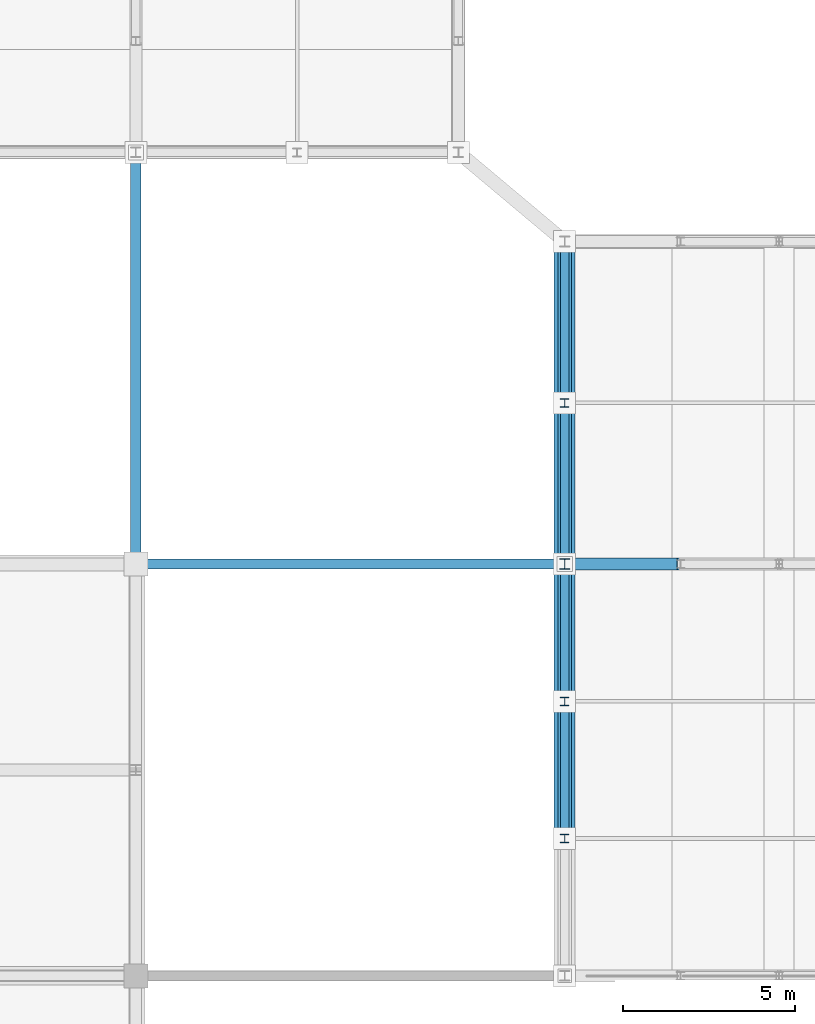
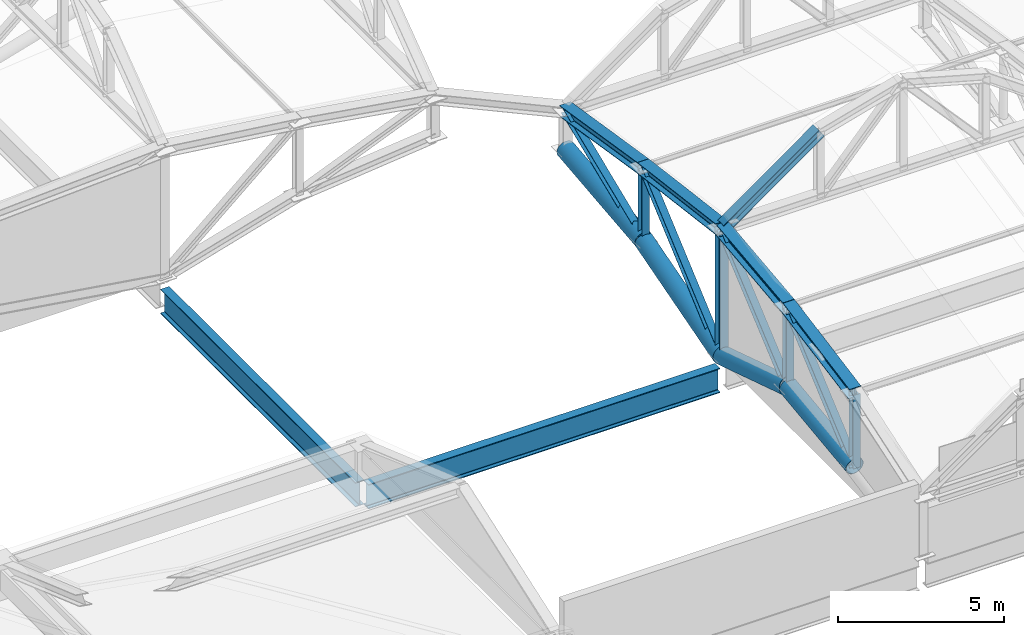
# One storey, part 8 of 117: 17 members, 2 beams.
"""IFC4 building model written with IfcOpenShell, lengths in metres."""

from ifc_helpers import new_model, si_unit, direction, frame, origin, origin_2d, place, context, subcontext, project, spatial, hollow_circle, i_section, extrude, material, material_profile, profile_set, type_object, element, save


model = new_model("IFC4")

# Units and contexts
model_context = context("Model", 3, precision=1e-05, world=origin(), true_north=direction((0.0, 1.0)))
body_context = subcontext(model_context, "Body", "Model", "MODEL_VIEW")
ifc_project = project(units=[si_unit("LENGTHUNIT", "METRE"), si_unit("AREAUNIT", "SQUARE_METRE"), si_unit("VOLUMEUNIT", "CUBIC_METRE"), si_unit("PLANEANGLEUNIT", "RADIAN"), si_unit("MASSUNIT", "GRAM", prefix="KILO")], contexts=[model_context])

# Site, building, storey
site_placement = place(None, origin())
site = spatial("IfcSite", under=ifc_project, at=site_placement, CompositionType="ELEMENT")
building_placement = place(site_placement, origin())
building = spatial("IfcBuilding", under=site, at=building_placement, Name="Kazenohara Klinker Stadium", CompositionType="ELEMENT")
storey_placement = place(building_placement, frame((0.0, 0.0, 31.199951171875)))
storey = spatial("IfcBuildingStorey", under=building, at=storey_placement, Name="RF", CompositionType="ELEMENT", Elevation=31.199951171875)

# Members
ifc_material = material(Name="Steel S355", Category="steel")
ifc_material_profile_1 = material_profile(ifc_material, i_section(OverallWidth=0.25, OverallDepth=0.25, WebThickness=0.009033203125, FlangeThickness=0.013916015625, FilletRadius=0.012939453125, at=origin_2d()), Name="H-250x250x9x14")
ifc_profile_set_1 = profile_set([ifc_material_profile_1], Name="Steel S355")
member_type_1 = type_object("IfcMemberType", Name="MEM-BRC02", PredefinedType="BRACE", material=ifc_profile_set_1)
member_1_placement = place(storey_placement, frame((61.5, 28.0, 0.75), z_axis=(0.0, 0.757253091298, 0.653121547432), x_axis=(-1.0, 0.0, 0.0)))
element("IfcMember", 1, at=member_1_placement, inside=storey, type_object=member_type_1, Name="ROOF TRUSS RT-S01 web diagonal 2", PredefinedType="BRACE", context=body_context, shape_type="SweptSolid", body=[
    extrude(i_section(OverallWidth=0.25, OverallDepth=0.25, WebThickness=0.009033203125, FlangeThickness=0.013916015625, FilletRadius=0.012939453125, at=origin_2d()), origin(), (0.0, 0.0, 1.0), 5.2822265625),
])
member_2_placement = place(storey_placement, frame((61.5, 32.0, 1.25), z_axis=(0.0, 0.761925548551, 0.647664618815), x_axis=(-1.0, 0.0, 0.0)))
element("IfcMember", 2, at=member_2_placement, inside=storey, type_object=member_type_1, Name="ROOF TRUSS RT-S01 web diagonal 3", PredefinedType="BRACE", context=body_context, shape_type="SweptSolid", body=[
    extrude(i_section(OverallWidth=0.25, OverallDepth=0.25, WebThickness=0.009033203125, FlangeThickness=0.013916015625, FilletRadius=0.012939453125, at=origin_2d()), origin(), (0.0, 0.0, 1.0), 5.249755859375),
])
member_3_placement = place(storey_placement, frame((61.5, 36.0, -0.02001953125), z_axis=(0.0, 0.755945561544, 0.65463448426), x_axis=(-1.0, 0.0, 0.0)))
element("IfcMember", 3, at=member_3_placement, inside=storey, type_object=member_type_1, Name="ROOF TRUSS RT-S01 web diagonal 4", PredefinedType="BRACE", context=body_context, shape_type="SweptSolid", body=[
    extrude(i_section(OverallWidth=0.25, OverallDepth=0.25, WebThickness=0.009033203125, FlangeThickness=0.013916015625, FilletRadius=0.012939453125, at=origin_2d()), origin(), (0.0, 0.0, 1.0), 6.21728515625),
])
member_4_placement = place(storey_placement, frame((61.5, 40.699951171875, 1.35009765625), z_axis=(0.0, 0.923659284192, 0.383214726655), x_axis=(-1.0, 0.0, 0.0)))
element("IfcMember", 4, at=member_4_placement, inside=storey, type_object=member_type_1, Name="ROOF TRUSS RT-S01 web diagonal 5", PredefinedType="BRACE", context=body_context, shape_type="SweptSolid", body=[
    extrude(i_section(OverallWidth=0.25, OverallDepth=0.25, WebThickness=0.009033203125, FlangeThickness=0.013916015625, FilletRadius=0.012939453125, at=origin_2d()), origin(), (0.0, 0.0, 1.0), 5.08837890625),
])
ifc_material_profile_2 = material_profile(ifc_material, i_section(OverallWidth=0.39990234375, OverallDepth=0.39990234375, WebThickness=0.012939453125, FlangeThickness=0.02099609375, FilletRadius=0.02197265625, at=origin_2d()), Name="H-400x400x13x21")
ifc_profile_set_2 = profile_set([ifc_material_profile_2], Name="Steel S355")
member_type_2 = type_object("IfcMemberType", Name="MEM-CHD01", PredefinedType="CHORD", material=ifc_profile_set_2)
member_5_placement = place(storey_placement, frame((61.5, 28.0, 3.449951171875), z_axis=(0.0, 0.982872186934, 0.18428853505), x_axis=(-1.0, 0.0, 0.0)))
element("IfcMember", 5, at=member_5_placement, inside=storey, type_object=member_type_2, Name="ROOF TRUSS RT-S01 top arched chord 2", PredefinedType="CHORD", context=body_context, shape_type="SweptSolid", body=[
    extrude(i_section(OverallWidth=0.39990234375, OverallDepth=0.39990234375, WebThickness=0.012939453125, FlangeThickness=0.02099609375, FilletRadius=0.02197265625, at=origin_2d()), origin(), (0.0, 0.0, 1.0), 4.06982421875),
])
member_6_placement = place(storey_placement, frame((61.5, 32.0, 4.199951171875), z_axis=(0.0, 0.993725924527, 0.111842688283), x_axis=(-1.0, 0.0, 0.0)))
element("IfcMember", 6, at=member_6_placement, inside=storey, type_object=member_type_2, Name="ROOF TRUSS RT-S01 top arched chord 3", PredefinedType="CHORD", context=body_context, shape_type="SweptSolid", body=[
    extrude(i_section(OverallWidth=0.39990234375, OverallDepth=0.39990234375, WebThickness=0.012939453125, FlangeThickness=0.02099609375, FilletRadius=0.02197265625, at=origin_2d()), origin(), (0.0, 0.0, 1.0), 4.025146484375),
])
member_7_placement = place(storey_placement, frame((61.5, 36.0, 4.650146484375), z_axis=(0.0, 0.99194702514, -0.126653461524), x_axis=(-1.0, 0.0, 0.0)))
element("IfcMember", 7, at=member_7_placement, inside=storey, type_object=member_type_2, Name="ROOF TRUSS RT-S01 top arched chord 4", PredefinedType="CHORD", context=body_context, shape_type="SweptSolid", body=[
    extrude(i_section(OverallWidth=0.39990234375, OverallDepth=0.39990234375, WebThickness=0.012939453125, FlangeThickness=0.02099609375, FilletRadius=0.02197265625, at=origin_2d()), origin(), (0.0, 0.0, 1.0), 4.738037109375),
])
member_8_placement = place(storey_placement, frame((61.5, 40.699951171875, 4.050048828125), z_axis=(0.0, 0.987505848374, -0.157582357602), x_axis=(-1.0, 0.0, 0.0)))
element("IfcMember", 8, at=member_8_placement, inside=storey, type_object=member_type_2, Name="ROOF TRUSS RT-S01 top arched chord 5", PredefinedType="CHORD", context=body_context, shape_type="SweptSolid", body=[
    extrude(i_section(OverallWidth=0.39990234375, OverallDepth=0.39990234375, WebThickness=0.012939453125, FlangeThickness=0.02099609375, FilletRadius=0.02197265625, at=origin_2d()), origin(), (0.0, 0.0, 1.0), 4.759521484375),
])
ifc_material_profile_3 = material_profile(ifc_material, i_section(OverallWidth=0.35009765625, OverallDepth=0.35009765625, WebThickness=0.011962890625, FlangeThickness=0.01904296875, FilletRadius=0.012939453125, at=origin_2d()), Name="H-350x350x12x19")
ifc_profile_set_3 = profile_set([ifc_material_profile_3], Name="Steel S355")
member_type_3 = type_object("IfcMemberType", Name="MEM-CHD02", PredefinedType="CHORD", material=ifc_profile_set_3)
member_9_placement = place(storey_placement, frame((61.5, 36.0, 4.650146484375), z_axis=(0.814966461491, 0.0, 0.579508124744), x_axis=(0.0, 1.0, 0.0)))
element("IfcMember", 9, at=member_9_placement, inside=storey, type_object=member_type_3, Name="Barrel arch top rib TC02 S-01-N3-S1", PredefinedType="CHORD", context=body_context, shape_type="SweptSolid", body=[
    extrude(i_section(OverallWidth=0.35009765625, OverallDepth=0.35009765625, WebThickness=0.011962890625, FlangeThickness=0.01904296875, FilletRadius=0.012939453125, at=origin_2d()), origin(), (0.0, 0.0, 1.0), 4.141357421875),
])
ifc_material_profile_4 = material_profile(ifc_material, hollow_circle(Radius=0.3046875, WallThickness=0.01611328125, at=origin_2d()), Name="CHS-609.6x16")
ifc_profile_set_4 = profile_set([ifc_material_profile_4], Name="Steel S355")
member_type_4 = type_object("IfcMemberType", Name="MEM-CHD05", PredefinedType="CHORD", material=ifc_profile_set_4)
member_10_placement = place(storey_placement, frame((61.5, 28.0, 0.75), z_axis=(0.0, 0.992277876714, 0.124034734589), x_axis=(-1.0, 0.0, 0.0)))
element("IfcMember", 10, at=member_10_placement, inside=storey, type_object=member_type_4, Name="ROOF TRUSS RT-S01 bottom arched chord 2", PredefinedType="CHORD", context=body_context, shape_type="SweptSolid", body=[
    extrude(hollow_circle(Radius=0.3046875, WallThickness=0.01611328125, at=origin_2d()), origin(), (0.0, 0.0, 1.0), 4.03125),
])
member_11_placement = place(storey_placement, frame((61.5, 32.0, 1.25), z_axis=(0.0, 0.953112016541, -0.302617719119), x_axis=(-1.0, 0.0, 0.0)))
element("IfcMember", 11, at=member_11_placement, inside=storey, type_object=member_type_4, Name="ROOF TRUSS RT-S01 bottom arched chord 3", PredefinedType="CHORD", context=body_context, shape_type="SweptSolid", body=[
    extrude(hollow_circle(Radius=0.3046875, WallThickness=0.01611328125, at=origin_2d()), origin(), (0.0, 0.0, 1.0), 4.19677734375),
])
member_12_placement = place(storey_placement, frame((61.5, 36.0, -0.02001953125), z_axis=(0.0, 0.960038530088, 0.279867863012), x_axis=(-1.0, 0.0, 0.0)))
element("IfcMember", 12, at=member_12_placement, inside=storey, type_object=member_type_4, Name="ROOF TRUSS RT-S01 bottom arched chord 4", PredefinedType="CHORD", context=body_context, shape_type="SweptSolid", body=[
    extrude(hollow_circle(Radius=0.3046875, WallThickness=0.01611328125, at=origin_2d()), origin(), (0.0, 0.0, 1.0), 4.8955078125),
])
member_13_placement = place(storey_placement, frame((61.5, 40.699951171875, 1.35009765625), z_axis=(0.0, 0.99438879757, 0.105787141313), x_axis=(-1.0, 0.0, 0.0)))
element("IfcMember", 13, at=member_13_placement, inside=storey, type_object=member_type_4, Name="ROOF TRUSS RT-S01 bottom arched chord 5", PredefinedType="CHORD", context=body_context, shape_type="SweptSolid", body=[
    extrude(hollow_circle(Radius=0.3046875, WallThickness=0.01611328125, at=origin_2d()), origin(), (0.0, 0.0, 1.0), 4.7265625),
])
ifc_material_profile_5 = material_profile(ifc_material, i_section(OverallWidth=0.300048828125, OverallDepth=0.300048828125, WebThickness=0.010009765625, FlangeThickness=0.014892578125, FilletRadius=0.012939453125, at=origin_2d()), Name="H-300x300x10x15")
ifc_profile_set_5 = profile_set([ifc_material_profile_5], Name="Steel S355")
member_type_5 = type_object("IfcMemberType", Name="MEM-STR01", PredefinedType="STRUT", material=ifc_profile_set_5)
member_14_placement = place(storey_placement, frame((61.5, 36.0, -0.02001953125), z_axis=(0.0, 0.0, 1.0), x_axis=(1.0, 0.0, 0.0)))
element("IfcMember", 14, at=member_14_placement, inside=storey, type_object=member_type_5, Name="ROOF TRUSS RT-S01 web post 4", PredefinedType="STRUT", context=body_context, shape_type="SweptSolid", body=[
    extrude(i_section(OverallWidth=0.300048828125, OverallDepth=0.300048828125, WebThickness=0.010009765625, FlangeThickness=0.014892578125, FilletRadius=0.012939453125, at=origin_2d()), origin(), (0.0, 0.0, 1.0), 4.670166015625),
])
ifc_material_profile_6 = material_profile(ifc_material, i_section(OverallWidth=0.25, OverallDepth=0.25, WebThickness=0.009033203125, FlangeThickness=0.013916015625, FilletRadius=0.012939453125, at=origin_2d()), Name="H-250x250x9x14")
ifc_profile_set_6 = profile_set([ifc_material_profile_6], Name="Steel S355")
member_type_6 = type_object("IfcMemberType", Name="MEM-STR02", PredefinedType="STRUT", material=ifc_profile_set_6)
member_15_placement = place(storey_placement, frame((61.5, 28.0, 0.75), z_axis=(0.0, 0.0, 1.0), x_axis=(1.0, 0.0, 0.0)))
element("IfcMember", 15, at=member_15_placement, inside=storey, type_object=member_type_6, Name="ROOF TRUSS RT-S01 web post 2", PredefinedType="STRUT", context=body_context, shape_type="SweptSolid", body=[
    extrude(i_section(OverallWidth=0.25, OverallDepth=0.25, WebThickness=0.009033203125, FlangeThickness=0.013916015625, FilletRadius=0.012939453125, at=origin_2d()), origin(), (0.0, 0.0, 1.0), 2.699951171875),
])
member_16_placement = place(storey_placement, frame((61.5, 32.0, 1.25), z_axis=(0.0, 0.0, 1.0), x_axis=(1.0, 0.0, 0.0)))
element("IfcMember", 16, at=member_16_placement, inside=storey, type_object=member_type_6, Name="ROOF TRUSS RT-S01 web post 3", PredefinedType="STRUT", context=body_context, shape_type="SweptSolid", body=[
    extrude(i_section(OverallWidth=0.25, OverallDepth=0.25, WebThickness=0.009033203125, FlangeThickness=0.013916015625, FilletRadius=0.012939453125, at=origin_2d()), origin(), (0.0, 0.0, 1.0), 2.949951171875),
])
member_17_placement = place(storey_placement, frame((61.5, 40.699951171875, 1.35009765625), z_axis=(0.0, 0.0, 1.0), x_axis=(1.0, 0.0, 0.0)))
element("IfcMember", 17, at=member_17_placement, inside=storey, type_object=member_type_6, Name="ROOF TRUSS RT-S01 web post 5", PredefinedType="STRUT", context=body_context, shape_type="SweptSolid", body=[
    extrude(i_section(OverallWidth=0.25, OverallDepth=0.25, WebThickness=0.009033203125, FlangeThickness=0.013916015625, FilletRadius=0.012939453125, at=origin_2d()), origin(), (0.0, 0.0, 1.0), 2.699951171875),
])

# Beams
ifc_material_profile_7 = material_profile(ifc_material, i_section(OverallWidth=0.300048828125, OverallDepth=0.89990234375, WebThickness=0.01611328125, FlangeThickness=0.028076171875, FilletRadius=0.02197265625, at=origin_2d()), Name="H-900x300x16x28")
ifc_profile_set_7 = profile_set([ifc_material_profile_7], Name="Steel S355")
beam_type = type_object("IfcBeamType", Name="RING-RB01", PredefinedType="USERDEFINED", material=ifc_profile_set_7)
beam_1_placement = place(storey_placement, frame((49.0, 36.139892578125, -0.820068359375), z_axis=(0.0, 1.0, 0.0), x_axis=(-1.0, 0.0, 0.0)))
element("IfcBeam", 18, at=beam_1_placement, inside=storey, type_object=beam_type, Name="Roof ring beam RB01 W-IN D-E", ObjectType="RING BEAM", PredefinedType="USERDEFINED", context=body_context, shape_type="SweptSolid", body=[
    extrude(i_section(OverallWidth=0.300048828125, OverallDepth=0.89990234375, WebThickness=0.01611328125, FlangeThickness=0.028076171875, FilletRadius=0.02197265625, at=origin_2d()), origin(), (0.0, 0.0, 1.0), 11.72021484375),
])
beam_2_placement = place(storey_placement, frame((49.139892578125, 36.0, -0.820068359375), z_axis=(1.0, 0.0, 0.0), x_axis=(0.0, 1.0, 0.0)))
element("IfcBeam", 19, at=beam_2_placement, inside=storey, type_object=beam_type, Name="Roof ring beam RB01 S-IN 5-6", ObjectType="RING BEAM", PredefinedType="USERDEFINED", context=body_context, shape_type="SweptSolid", body=[
    extrude(i_section(OverallWidth=0.300048828125, OverallDepth=0.89990234375, WebThickness=0.01611328125, FlangeThickness=0.028076171875, FilletRadius=0.02197265625, at=origin_2d()), origin(), (0.0, 0.0, 1.0), 12.22021484375),
])

save(model, "model.ifc")
